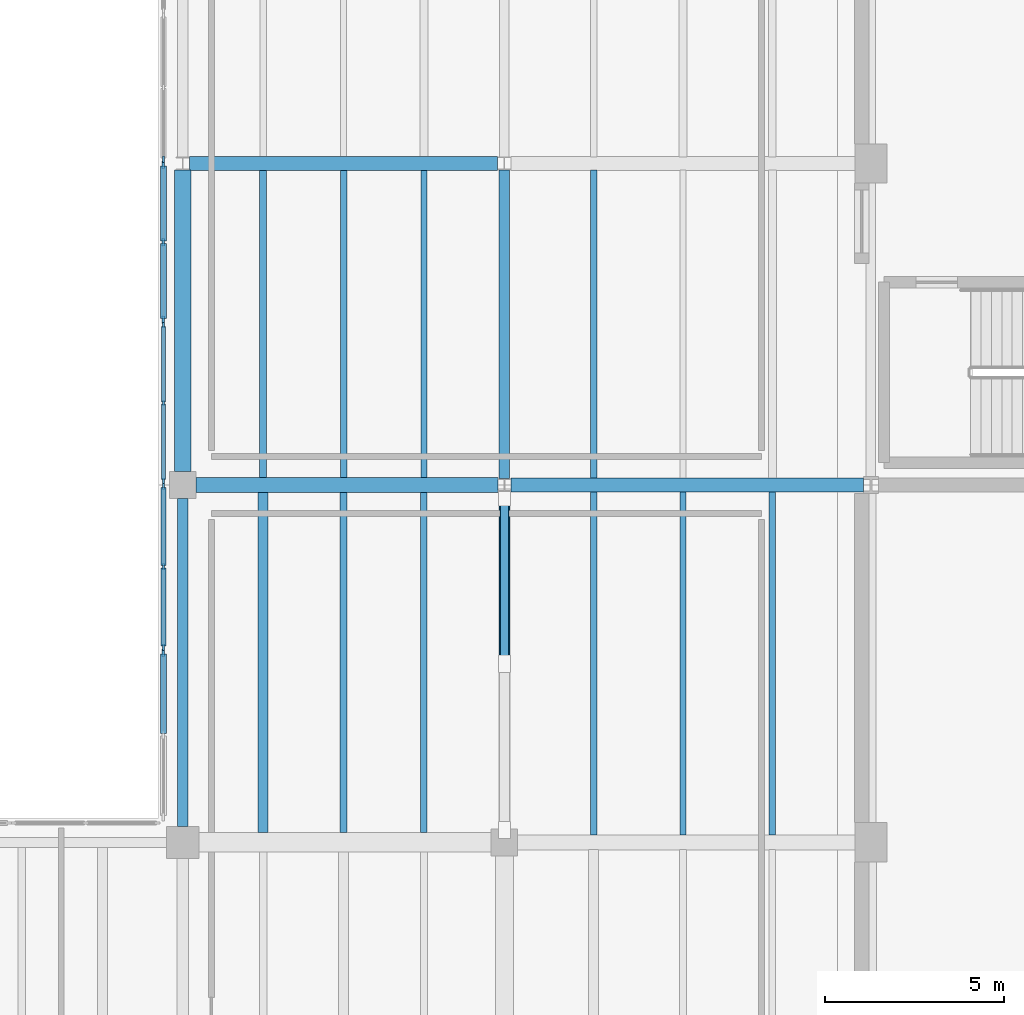
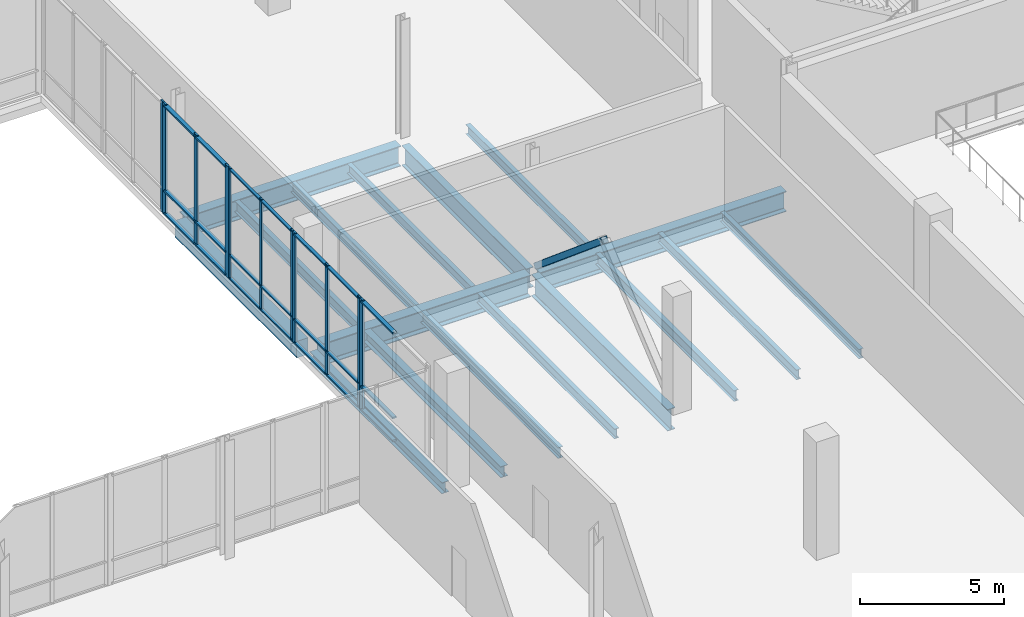
# One storey, part 31 of 73: 33 members, 17 beams, 5 elements without a shape of their own.
"""IFC4 building model written with IfcOpenShell, lengths in metres."""

from ifc_helpers import new_model, si_unit, direction, frame, origin, origin_2d, place, context, subcontext, project, spatial, rectangle, hollow_rectangle, i_section, extrude, material, material_profile, profile_set, type_object, element, aggregate, save


model = new_model("IFC4")

# Units and contexts
model_context = context("Model", 3, precision=1e-05, world=origin(), true_north=direction((0.0, 1.0)))
body_context = subcontext(model_context, "Body", "Model", "MODEL_VIEW")
ifc_project = project(units=[si_unit("LENGTHUNIT", "METRE"), si_unit("AREAUNIT", "SQUARE_METRE"), si_unit("VOLUMEUNIT", "CUBIC_METRE"), si_unit("PLANEANGLEUNIT", "RADIAN"), si_unit("MASSUNIT", "GRAM", prefix="KILO")], contexts=[model_context])

# Site, building, storey
site_placement = place(None, origin())
site = spatial("IfcSite", under=ifc_project, at=site_placement, CompositionType="ELEMENT")
building_placement = place(site_placement, origin())
building = spatial("IfcBuilding", under=site, at=building_placement, Name="Trimount Lyric Opera House", CompositionType="ELEMENT")
storey_placement = place(building_placement, frame((0.0, 0.0, 10.0)))
storey = spatial("IfcBuildingStorey", under=building, at=storey_placement, Name="L02", CompositionType="ELEMENT", Elevation=10.0)

# Beams
ifc_material_1 = material(Name="Steel ASTM A992 Grade 50", Category="steel")
ifc_material_profile_1 = material_profile(ifc_material_1, i_section(OverallWidth=0.4189453125, OverallDepth=0.927001953125, WebThickness=0.019287109375, FlangeThickness=0.031982421875, FilletRadius=0.02392578125, at=origin_2d()), Name="W36X231")
ifc_profile_set_1 = profile_set([ifc_material_profile_1], Name="Steel ASTM A992 Grade 50")
beam_type_1 = type_object("IfcBeamType", Name="B-02", PredefinedType="BEAM", material=ifc_profile_set_1)
beam_1_placement = place(storey_placement, frame((45.375, 84.0, -0.743408203125), z_axis=(1.0, 0.0, 0.0), x_axis=(0.0, 1.0, 0.0)))
element("IfcBeam", 1, at=beam_1_placement, inside=storey, type_object=beam_type_1, Name="L02 girder X-0774", PredefinedType="BEAM", context=body_context, shape_type="SweptSolid", body=[
    extrude(i_section(OverallWidth=0.4189453125, OverallDepth=0.927001953125, WebThickness=0.019287109375, FlangeThickness=0.031982421875, FilletRadius=0.02392578125, at=origin_2d()), origin(), (0.0, 0.0, 1.0), 8.44091796875),
])
ifc_material_2 = material(Name="Steel ASTM A992 Grade 50", Category="steel")
ifc_material_profile_2 = material_profile(ifc_material_2, i_section(OverallWidth=0.304931640625, OverallDepth=0.9189453125, WebThickness=0.017333984375, FlangeThickness=0.02783203125, FilletRadius=0.02001953125, at=origin_2d()), Name="W36X170")
ifc_profile_set_2 = profile_set([ifc_material_profile_2], Name="Steel ASTM A992 Grade 50")
beam_type_2 = type_object("IfcBeamType", Name="B-03", PredefinedType="BEAM", material=ifc_profile_set_2)
beam_2_placement = place(storey_placement, frame((54.0, 74.375, -0.739501953125), z_axis=(0.0, 1.0, 0.0), x_axis=(-1.0, 0.0, 0.0)))
element("IfcBeam", 2, at=beam_2_placement, inside=storey, type_object=beam_type_2, Name="L02 girder Y-0868", PredefinedType="BEAM", context=body_context, shape_type="SweptSolid", body=[
    extrude(i_section(OverallWidth=0.304931640625, OverallDepth=0.9189453125, WebThickness=0.017333984375, FlangeThickness=0.02783203125, FilletRadius=0.02001953125, at=origin_2d()), origin(), (0.0, 0.0, 1.0), 9.447021484375),
])
ifc_material_3 = material(Name="Steel ASTM A992 Grade 50", Category="steel")
ifc_material_profile_3 = material_profile(ifc_material_3, i_section(OverallWidth=0.40087890625, OverallDepth=0.861083984375, WebThickness=0.019775390625, FlangeThickness=0.032470703125, FilletRadius=0.02001953125, at=origin_2d()), Name="W33X221")
ifc_profile_set_3 = profile_set([ifc_material_profile_3], Name="Steel ASTM A992 Grade 50")
beam_type_3 = type_object("IfcBeamType", Name="B-04", PredefinedType="BEAM", material=ifc_profile_set_3)
beam_3_placement = place(storey_placement, frame((54.18408203125, 84.0, -0.755615234375), z_axis=(1.0, 0.0, 0.0), x_axis=(0.0, 1.0, 0.0)))
element("IfcBeam", 3, at=beam_3_placement, inside=storey, type_object=beam_type_3, Name="L02 girder X-0775", PredefinedType="BEAM", context=body_context, shape_type="SweptSolid", body=[
    extrude(i_section(OverallWidth=0.40087890625, OverallDepth=0.861083984375, WebThickness=0.019775390625, FlangeThickness=0.032470703125, FilletRadius=0.02001953125, at=origin_2d()), origin(), (0.0, 0.0, 1.0), 9.864990234375),
])
beam_4_placement = place(storey_placement, frame((45.18408203125, 93.0, -0.71044921875), z_axis=(1.0, 0.0, 0.0), x_axis=(0.0, 1.0, 0.0)))
element("IfcBeam", 4, at=beam_4_placement, inside=storey, type_object=beam_type_3, Name="L02 girder X-0783", PredefinedType="BEAM", context=body_context, shape_type="SweptSolid", body=[
    extrude(i_section(OverallWidth=0.40087890625, OverallDepth=0.861083984375, WebThickness=0.019775390625, FlangeThickness=0.032470703125, FilletRadius=0.02001953125, at=origin_2d()), origin(), (0.0, 0.0, 1.0), 8.62939453125),
])
ifc_material_4 = material(Name="Steel ASTM A992 Grade 50", Category="steel")
ifc_material_profile_4 = material_profile(ifc_material_4, i_section(OverallWidth=0.2919921875, OverallDepth=0.845947265625, WebThickness=0.015380859375, FlangeThickness=0.0244140625, FilletRadius=0.01806640625, at=origin_2d()), Name="W33X141")
ifc_profile_set_4 = profile_set([ifc_material_profile_4], Name="Steel ASTM A992 Grade 50")
beam_type_4 = type_object("IfcBeamType", Name="B-05", PredefinedType="BEAM", material=ifc_profile_set_4)
beam_5_placement = place(storey_placement, frame((54.0, 84.177978515625, -0.702880859375), z_axis=(0.0, 1.0, 0.0), x_axis=(-1.0, 0.0, 0.0)))
element("IfcBeam", 5, at=beam_5_placement, inside=storey, type_object=beam_type_4, Name="L02 girder Y-0869", PredefinedType="BEAM", context=body_context, shape_type="SweptSolid", body=[
    extrude(i_section(OverallWidth=0.2919921875, OverallDepth=0.845947265625, WebThickness=0.015380859375, FlangeThickness=0.0244140625, FilletRadius=0.01806640625, at=origin_2d()), origin(), (0.0, 0.0, 1.0), 8.637939453125),
])

# Member
ifc_material_5 = material(Name="Steel ASTM A500 Grade C", Category="steel")
ifc_material_profile_5 = material_profile(ifc_material_5, hollow_rectangle(XDim=0.25390625, YDim=0.25390625, WallThickness=0.01171875, InnerFilletRadius=0.01220703125, OuterFilletRadius=0.02392578125, at=origin_2d()), Name="HSS254.0X254.0X12.7")
ifc_profile_set_5 = profile_set([ifc_material_profile_5], Name="Steel ASTM A500 Grade C")
member_type_1 = type_object("IfcMemberType", Name="BR-03", PredefinedType="BRACE", material=ifc_profile_set_5)
member_1_placement = place(storey_placement, frame((54.0, 83.64990234375, 0.14990234375), z_axis=(0.0, -0.766173014074, 0.642634353661), x_axis=(1.0, 0.0, 0.0)))
element("IfcMember", 6, at=member_1_placement, inside=storey, type_object=member_type_1, Name="L02 lateral chevron brace BF-2.2", PredefinedType="BRACE", context=body_context, shape_type="SweptSolid", body=[
    extrude(hollow_rectangle(XDim=0.25390625, YDim=0.25390625, WallThickness=0.01171875, InnerFilletRadius=0.01220703125, OuterFilletRadius=0.02392578125, at=origin_2d()), origin(), (0.0, 0.0, 1.0), 6.069091796875),
])

# Beams
ifc_material_6 = material(Name="Steel ASTM A992 Grade 50", Category="steel")
ifc_material_profile_6 = material_profile(ifc_material_6, i_section(OverallWidth=0.281982421875, OverallDepth=0.467041015625, WebThickness=0.01220703125, FlangeThickness=0.01953125, FilletRadius=0.012939453125, at=origin_2d()), Name="W18X86")
ifc_profile_set_6 = profile_set([ifc_material_profile_6], Name="Steel ASTM A992 Grade 50")
beam_type_5 = type_object("IfcBeamType", Name="J-03", PredefinedType="BEAM", material=ifc_profile_set_6)
beam_6_placement = place(storey_placement, frame((47.25, 74.27099609375, -0.513427734375), z_axis=(0.0, 1.0, 0.0), x_axis=(-1.0, 0.0, 0.0)))
element("IfcBeam", 7, at=beam_6_placement, inside=storey, type_object=beam_type_5, Name="L02 composite floor joist 0860", PredefinedType="BEAM", context=body_context, shape_type="SweptSolid", body=[
    extrude(i_section(OverallWidth=0.281982421875, OverallDepth=0.467041015625, WebThickness=0.01220703125, FlangeThickness=0.01953125, FilletRadius=0.012939453125, at=origin_2d()), origin(), (0.0, 0.0, 1.0), 9.5234375),
])
ifc_material_7 = material(Name="Steel ASTM A992 Grade 50", Category="steel")
ifc_material_profile_7 = material_profile(ifc_material_7, i_section(OverallWidth=0.19091796875, OverallDepth=0.45703125, WebThickness=0.009033203125, FlangeThickness=0.014404296875, FilletRadius=0.010986328125, at=origin_2d()), Name="W18X50")
ifc_profile_set_7 = profile_set([ifc_material_profile_7], Name="Steel ASTM A992 Grade 50")
beam_type_6 = type_object("IfcBeamType", Name="J-04", PredefinedType="BEAM", material=ifc_profile_set_7)
beam_7_placement = place(storey_placement, frame((49.5, 74.27099609375, -0.508544921875), z_axis=(0.0, 1.0, 0.0), x_axis=(-1.0, 0.0, 0.0)))
element("IfcBeam", 8, at=beam_7_placement, inside=storey, type_object=beam_type_6, Name="L02 composite floor joist 0861", PredefinedType="BEAM", context=body_context, shape_type="SweptSolid", body=[
    extrude(i_section(OverallWidth=0.19091796875, OverallDepth=0.45703125, WebThickness=0.009033203125, FlangeThickness=0.014404296875, FilletRadius=0.010986328125, at=origin_2d()), origin(), (0.0, 0.0, 1.0), 9.5234375),
])
beam_8_placement = place(storey_placement, frame((47.25, 84.20556640625, -0.508544921875), z_axis=(0.0, 1.0, 0.0), x_axis=(-1.0, 0.0, 0.0)))
element("IfcBeam", 9, at=beam_8_placement, inside=storey, type_object=beam_type_6, Name="L02 composite floor joist 0863", PredefinedType="BEAM", context=body_context, shape_type="SweptSolid", body=[
    extrude(i_section(OverallWidth=0.19091796875, OverallDepth=0.45703125, WebThickness=0.009033203125, FlangeThickness=0.014404296875, FilletRadius=0.010986328125, at=origin_2d()), origin(), (0.0, 0.0, 1.0), 8.597900390625),
])
beam_9_placement = place(storey_placement, frame((56.5, 74.20556640625, -0.508544921875), z_axis=(0.0, 1.0, 0.0), x_axis=(-1.0, 0.0, 0.0)))
element("IfcBeam", 10, at=beam_9_placement, inside=storey, type_object=beam_type_6, Name="L02 composite floor joist 0887", PredefinedType="BEAM", context=body_context, shape_type="SweptSolid", body=[
    extrude(i_section(OverallWidth=0.19091796875, OverallDepth=0.45703125, WebThickness=0.009033203125, FlangeThickness=0.014404296875, FilletRadius=0.010986328125, at=origin_2d()), origin(), (0.0, 0.0, 1.0), 9.597900390625),
])
ifc_material_8 = material(Name="Steel ASTM A992 Grade 50", Category="steel")
ifc_material_profile_8 = material_profile(ifc_material_8, i_section(OverallWidth=0.180908203125, OverallDepth=0.4169921875, WebThickness=0.010986328125, FlangeThickness=0.018310546875, FilletRadius=0.010986328125, at=origin_2d()), Name="W16X57")
ifc_profile_set_8 = profile_set([ifc_material_profile_8], Name="Steel ASTM A992 Grade 50")
beam_type_7 = type_object("IfcBeamType", Name="J-05", PredefinedType="BEAM", material=ifc_profile_set_8)
beam_10_placement = place(storey_placement, frame((51.75, 74.27099609375, -0.488525390625), z_axis=(0.0, 1.0, 0.0), x_axis=(-1.0, 0.0, 0.0)))
element("IfcBeam", 11, at=beam_10_placement, inside=storey, type_object=beam_type_7, Name="L02 composite floor joist 0862", PredefinedType="BEAM", context=body_context, shape_type="SweptSolid", body=[
    extrude(i_section(OverallWidth=0.180908203125, OverallDepth=0.4169921875, WebThickness=0.010986328125, FlangeThickness=0.018310546875, FilletRadius=0.010986328125, at=origin_2d()), origin(), (0.0, 0.0, 1.0), 9.5234375),
])
beam_11_placement = place(storey_placement, frame((49.5, 84.20556640625, -0.488525390625), z_axis=(0.0, 1.0, 0.0), x_axis=(-1.0, 0.0, 0.0)))
element("IfcBeam", 12, at=beam_11_placement, inside=storey, type_object=beam_type_7, Name="L02 composite floor joist 0864", PredefinedType="BEAM", context=body_context, shape_type="SweptSolid", body=[
    extrude(i_section(OverallWidth=0.180908203125, OverallDepth=0.4169921875, WebThickness=0.010986328125, FlangeThickness=0.018310546875, FilletRadius=0.010986328125, at=origin_2d()), origin(), (0.0, 0.0, 1.0), 8.597900390625),
])
beam_12_placement = place(storey_placement, frame((59.0, 74.20556640625, -0.488525390625), z_axis=(0.0, 1.0, 0.0), x_axis=(-1.0, 0.0, 0.0)))
element("IfcBeam", 13, at=beam_12_placement, inside=storey, type_object=beam_type_7, Name="L02 composite floor joist 0888", PredefinedType="BEAM", context=body_context, shape_type="SweptSolid", body=[
    extrude(i_section(OverallWidth=0.180908203125, OverallDepth=0.4169921875, WebThickness=0.010986328125, FlangeThickness=0.018310546875, FilletRadius=0.010986328125, at=origin_2d()), origin(), (0.0, 0.0, 1.0), 9.597900390625),
])
beam_13_placement = place(storey_placement, frame((56.5, 84.196533203125, -0.488525390625), z_axis=(0.0, 1.0, 0.0), x_axis=(-1.0, 0.0, 0.0)))
element("IfcBeam", 14, at=beam_13_placement, inside=storey, type_object=beam_type_7, Name="L02 composite floor joist 0890", PredefinedType="BEAM", context=body_context, shape_type="SweptSolid", body=[
    extrude(i_section(OverallWidth=0.180908203125, OverallDepth=0.4169921875, WebThickness=0.010986328125, FlangeThickness=0.018310546875, FilletRadius=0.010986328125, at=origin_2d()), origin(), (0.0, 0.0, 1.0), 8.616455078125),
])
ifc_material_9 = material(Name="Steel ASTM A992 Grade 50", Category="steel")
ifc_material_profile_9 = material_profile(ifc_material_9, i_section(OverallWidth=0.177978515625, OverallDepth=0.404052734375, WebThickness=0.007568359375, FlangeThickness=0.010986328125, FilletRadius=0.010009765625, at=origin_2d()), Name="W16X36")
ifc_profile_set_9 = profile_set([ifc_material_profile_9], Name="Steel ASTM A992 Grade 50")
beam_type_8 = type_object("IfcBeamType", Name="J-06", PredefinedType="BEAM", material=ifc_profile_set_9)
beam_14_placement = place(storey_placement, frame((51.75, 84.20556640625, -0.48193359375), z_axis=(0.0, 1.0, 0.0), x_axis=(-1.0, 0.0, 0.0)))
element("IfcBeam", 15, at=beam_14_placement, inside=storey, type_object=beam_type_8, Name="L02 composite floor joist 0865", PredefinedType="BEAM", context=body_context, shape_type="SweptSolid", body=[
    extrude(i_section(OverallWidth=0.177978515625, OverallDepth=0.404052734375, WebThickness=0.007568359375, FlangeThickness=0.010986328125, FilletRadius=0.010009765625, at=origin_2d()), origin(), (0.0, 0.0, 1.0), 8.597900390625),
])
beam_15_placement = place(storey_placement, frame((61.5, 74.20556640625, -0.48193359375), z_axis=(0.0, 1.0, 0.0), x_axis=(-1.0, 0.0, 0.0)))
element("IfcBeam", 16, at=beam_15_placement, inside=storey, type_object=beam_type_8, Name="L02 composite floor joist 0889", PredefinedType="BEAM", context=body_context, shape_type="SweptSolid", body=[
    extrude(i_section(OverallWidth=0.177978515625, OverallDepth=0.404052734375, WebThickness=0.007568359375, FlangeThickness=0.010986328125, FilletRadius=0.010009765625, at=origin_2d()), origin(), (0.0, 0.0, 1.0), 9.597900390625),
])

# Curtain wall, member
ifc_material_10 = material(Name="Thermally Broken Aluminium and Low-E Glass", Category="aluminium")
curtain_wall_type = type_object("IfcCurtainWallType", Name="CW-03", PredefinedType="NOTDEFINED", material=ifc_material_10)
curtain_wall_1_placement = place(storey_placement, origin())
curtain_wall_1 = element("IfcCurtainWall", 17, at=curtain_wall_1_placement, inside=storey, type_object=curtain_wall_type, Name="L02 curtain wall 204", PredefinedType="NOTDEFINED")
ifc_material_11 = material(Name="Anodised Aluminium 6063-T6", Category="aluminium")
ifc_material_profile_10 = material_profile(ifc_material_11, rectangle(XDim=0.070068359375, YDim=0.219970703125, at=origin_2d()), Name="ALU-MULL-70X220")
ifc_profile_set_10 = profile_set([ifc_material_profile_10], Name="Anodised Aluminium 6063-T6")
member_type_2 = type_object("IfcMemberType", Name="ML-01", PredefinedType="MULLION", material=ifc_profile_set_10)
member_2_placement = place(storey_placement, frame((44.4599609375, 79.304931640625, 0.0), z_axis=(0.0, 0.0, 1.0), x_axis=(-1.0, 0.0, 0.0)))
member_2 = element("IfcMember", 18, at=member_2_placement, type_object=member_type_2, Name="CW-03 mullion 3", PredefinedType="MULLION", context=body_context, shape_type="SweptSolid", body=[
    extrude(rectangle(XDim=0.070068359375, YDim=0.219970703125, at=origin_2d()), origin(), (0.0, 0.0, 1.0), 4.719970703125),
])

# Curtain wall, members
curtain_wall_2_placement = place(storey_placement, origin())
curtain_wall_2 = element("IfcCurtainWall", 19, at=curtain_wall_2_placement, inside=storey, type_object=curtain_wall_type, Name="L02 curtain wall 207", PredefinedType="NOTDEFINED")
member_3_placement = place(storey_placement, frame((44.4599609375, 88.625, 0.0), z_axis=(0.0, 0.0, 1.0), x_axis=(-1.0, 0.0, 0.0)))
member_3 = element("IfcMember", 20, at=member_3_placement, type_object=member_type_2, Name="CW-03 mullion 1", PredefinedType="MULLION", context=body_context, shape_type="SweptSolid", body=[
    extrude(rectangle(XDim=0.070068359375, YDim=0.219970703125, at=origin_2d()), origin(), (0.0, 0.0, 1.0), 4.719970703125),
])
member_4_placement = place(storey_placement, frame((44.4599609375, 90.794921875, 0.0), z_axis=(0.0, 0.0, 1.0), x_axis=(-1.0, 0.0, 0.0)))
member_4 = element("IfcMember", 21, at=member_4_placement, type_object=member_type_2, Name="CW-03 mullion 2", PredefinedType="MULLION", context=body_context, shape_type="SweptSolid", body=[
    extrude(rectangle(XDim=0.070068359375, YDim=0.219970703125, at=origin_2d()), origin(), (0.0, 0.0, 1.0), 4.719970703125),
])
member_5_placement = place(storey_placement, frame((44.4599609375, 92.965087890625, 0.0), z_axis=(0.0, 0.0, 1.0), x_axis=(-1.0, 0.0, 0.0)))
member_5 = element("IfcMember", 22, at=member_5_placement, type_object=member_type_2, Name="CW-03 mullion 3", PredefinedType="MULLION", context=body_context, shape_type="SweptSolid", body=[
    extrude(rectangle(XDim=0.070068359375, YDim=0.219970703125, at=origin_2d()), origin(), (0.0, 0.0, 1.0), 4.719970703125),
])

curtain_wall_3_placement = place(storey_placement, origin())
curtain_wall_3 = element("IfcCurtainWall", 23, at=curtain_wall_3_placement, inside=storey, type_object=curtain_wall_type, Name="L02 curtain wall 205", PredefinedType="NOTDEFINED")
ifc_material_12 = material(Name="Anodised Aluminium 6063-T6", Category="aluminium")
ifc_material_profile_11 = material_profile(ifc_material_12, rectangle(XDim=0.06494140625, YDim=0.179931640625, at=origin_2d()), Name="ALU-MULL-65X180")
ifc_profile_set_11 = profile_set([ifc_material_profile_11], Name="Anodised Aluminium 6063-T6")
member_type_3 = type_object("IfcMemberType", Name="ML-02", PredefinedType="MULLION", material=ifc_profile_set_11)
member_6_placement = place(storey_placement, frame((44.4599609375, 79.46240234375, 0.0), z_axis=(0.0, 0.0, 1.0), x_axis=(-1.0, 0.0, 0.0)))
member_6 = element("IfcMember", 24, at=member_6_placement, type_object=member_type_3, Name="CW-03 mullion 1", PredefinedType="MULLION", context=body_context, shape_type="SweptSolid", body=[
    extrude(rectangle(XDim=0.06494140625, YDim=0.179931640625, at=origin_2d()), origin(), (0.0, 0.0, 1.0), 4.719970703125),
])
member_7_placement = place(storey_placement, frame((44.4599609375, 81.715087890625, 0.0), z_axis=(0.0, 0.0, 1.0), x_axis=(-1.0, 0.0, 0.0)))
member_7 = element("IfcMember", 25, at=member_7_placement, type_object=member_type_3, Name="CW-03 mullion 2", PredefinedType="MULLION", context=body_context, shape_type="SweptSolid", body=[
    extrude(rectangle(XDim=0.06494140625, YDim=0.179931640625, at=origin_2d()), origin(), (0.0, 0.0, 1.0), 4.719970703125),
])
member_8_placement = place(storey_placement, frame((44.4599609375, 83.967529296875, 0.0), z_axis=(0.0, 0.0, 1.0), x_axis=(-1.0, 0.0, 0.0)))
member_8 = element("IfcMember", 26, at=member_8_placement, type_object=member_type_3, Name="CW-03 mullion 3", PredefinedType="MULLION", context=body_context, shape_type="SweptSolid", body=[
    extrude(rectangle(XDim=0.06494140625, YDim=0.179931640625, at=origin_2d()), origin(), (0.0, 0.0, 1.0), 4.719970703125),
])

# Curtain wall, member
curtain_wall_4_placement = place(storey_placement, origin())
curtain_wall_4 = element("IfcCurtainWall", 27, at=curtain_wall_4_placement, inside=storey, type_object=curtain_wall_type, Name="L02 curtain wall 208", PredefinedType="NOTDEFINED")
member_9_placement = place(storey_placement, frame((44.4599609375, 93.12255859375, 0.0), z_axis=(0.0, 0.0, 1.0), x_axis=(-1.0, 0.0, 0.0)))
member_9 = element("IfcMember", 28, at=member_9_placement, type_object=member_type_3, Name="CW-03 mullion 1", PredefinedType="MULLION", context=body_context, shape_type="SweptSolid", body=[
    extrude(rectangle(XDim=0.06494140625, YDim=0.179931640625, at=origin_2d()), origin(), (0.0, 0.0, 1.0), 4.719970703125),
])
aggregate(curtain_wall_4, [member_9])

# Curtain wall, members
curtain_wall_5_placement = place(storey_placement, origin())
curtain_wall_5 = element("IfcCurtainWall", 29, at=curtain_wall_5_placement, inside=storey, type_object=curtain_wall_type, Name="L02 curtain wall 206", PredefinedType="NOTDEFINED")
ifc_material_13 = material(Name="Anodised Aluminium 6063-T6", Category="aluminium")
ifc_material_profile_12 = material_profile(ifc_material_13, rectangle(XDim=0.06005859375, YDim=0.14990234375, at=origin_2d()), Name="ALU-MULL-60X150")
ifc_profile_set_12 = profile_set([ifc_material_profile_12], Name="Anodised Aluminium 6063-T6")
member_type_4 = type_object("IfcMemberType", Name="ML-03", PredefinedType="MULLION", material=ifc_profile_set_12)
member_10_placement = place(storey_placement, frame((44.4599609375, 84.1201171875, 0.0), z_axis=(0.0, 0.0, 1.0), x_axis=(-1.0, 0.0, 0.0)))
member_10 = element("IfcMember", 30, at=member_10_placement, type_object=member_type_4, Name="CW-03 mullion 1", PredefinedType="MULLION", context=body_context, shape_type="SweptSolid", body=[
    extrude(rectangle(XDim=0.06005859375, YDim=0.14990234375, at=origin_2d()), origin(), (0.0, 0.0, 1.0), 4.719970703125),
])
member_11_placement = place(storey_placement, frame((44.4599609375, 86.294921875, 0.0), z_axis=(0.0, 0.0, 1.0), x_axis=(-1.0, 0.0, 0.0)))
member_11 = element("IfcMember", 31, at=member_11_placement, type_object=member_type_4, Name="CW-03 mullion 2", PredefinedType="MULLION", context=body_context, shape_type="SweptSolid", body=[
    extrude(rectangle(XDim=0.06005859375, YDim=0.14990234375, at=origin_2d()), origin(), (0.0, 0.0, 1.0), 4.719970703125),
])
member_12_placement = place(storey_placement, frame((44.4599609375, 88.469970703125, 0.0), z_axis=(0.0, 0.0, 1.0), x_axis=(-1.0, 0.0, 0.0)))
member_12 = element("IfcMember", 32, at=member_12_placement, type_object=member_type_4, Name="CW-03 mullion 3", PredefinedType="MULLION", context=body_context, shape_type="SweptSolid", body=[
    extrude(rectangle(XDim=0.06005859375, YDim=0.14990234375, at=origin_2d()), origin(), (0.0, 0.0, 1.0), 4.719970703125),
])

# Beams
ifc_material_14 = material(Name="Steel ASTM A992 Grade 50", Category="steel")
ifc_material_profile_13 = material_profile(ifc_material_14, i_section(OverallWidth=0.281982421875, OverallDepth=0.467041015625, WebThickness=0.01220703125, FlangeThickness=0.01953125, FilletRadius=0.012939453125, at=origin_2d()), Name="W18X86")
ifc_profile_set_13 = profile_set([ifc_material_profile_13], Name="Steel ASTM A992 Grade 50")
beam_type_9 = type_object("IfcBeamType", Name="SP-01", PredefinedType="SPANDREL", material=ifc_profile_set_13)
beam_16_placement = place(storey_placement, frame((45.0, 74.449951171875, -0.513427734375), z_axis=(0.0, 1.0, 0.0), x_axis=(-1.0, 0.0, 0.0)))
element("IfcBeam", 33, at=beam_16_placement, inside=storey, type_object=beam_type_9, Name="L02 girder Y-0858", PredefinedType="SPANDREL", context=body_context, shape_type="SweptSolid", body=[
    extrude(i_section(OverallWidth=0.281982421875, OverallDepth=0.467041015625, WebThickness=0.01220703125, FlangeThickness=0.01953125, FilletRadius=0.012939453125, at=origin_2d()), origin(), (0.0, 0.0, 1.0), 9.175048828125),
])
ifc_material_15 = material(Name="Concrete C40/50", Category="concrete")
ifc_material_profile_14 = material_profile(ifc_material_15, rectangle(XDim=0.449951171875, YDim=0.699951171875, at=origin_2d()), Name="RC450X700")
ifc_profile_set_14 = profile_set([ifc_material_profile_14], Name="Concrete C40/50")
beam_type_10 = type_object("IfcBeamType", Name="SP-02", PredefinedType="SPANDREL", material=ifc_profile_set_14)
beam_17_placement = place(storey_placement, frame((45.0, 84.375, -0.6298828125), z_axis=(0.0, 1.0, 0.0), x_axis=(-1.0, 0.0, 0.0)))
element("IfcBeam", 34, at=beam_17_placement, inside=storey, type_object=beam_type_10, Name="L02 girder Y-0859", PredefinedType="SPANDREL", context=body_context, shape_type="SweptSolid", body=[
    extrude(rectangle(XDim=0.449951171875, YDim=0.699951171875, at=origin_2d()), origin(), (0.0, 0.0, 1.0), 8.447021484375),
])

# Member
ifc_material_16 = material(Name="Anodised Aluminium 6063-T6", Category="aluminium")
ifc_material_profile_15 = material_profile(ifc_material_16, rectangle(XDim=0.159912109375, YDim=0.070068359375, at=origin_2d()), Name="ALU-TRAN-70X160")
ifc_profile_set_15 = profile_set([ifc_material_profile_15], Name="Anodised Aluminium 6063-T6")
member_type_5 = type_object("IfcMemberType", Name="TR-01", PredefinedType="USERDEFINED", material=ifc_profile_set_15)
member_13_placement = place(storey_placement, frame((44.4599609375, 77.044921875, 0.080078125), z_axis=(0.0, 1.0, 0.0), x_axis=(-1.0, 0.0, 0.0)))
member_13 = element("IfcMember", 35, at=member_13_placement, type_object=member_type_5, Name="CW-03 transom 2.1", ObjectType="TRANSOM", PredefinedType="USERDEFINED", context=body_context, shape_type="SweptSolid", body=[
    extrude(rectangle(XDim=0.159912109375, YDim=0.070068359375, at=origin_2d()), origin(), (0.0, 0.0, 1.0), 2.22509765625),
])

member_14_placement = place(storey_placement, frame((44.4599609375, 77.044921875, 1.050048828125), z_axis=(0.0, 1.0, 0.0), x_axis=(-1.0, 0.0, 0.0)))
member_14 = element("IfcMember", 36, at=member_14_placement, type_object=member_type_5, Name="CW-03 transom 2.2", ObjectType="TRANSOM", PredefinedType="USERDEFINED", context=body_context, shape_type="SweptSolid", body=[
    extrude(rectangle(XDim=0.159912109375, YDim=0.070068359375, at=origin_2d()), origin(), (0.0, 0.0, 1.0), 2.22509765625),
])

member_15_placement = place(storey_placement, frame((44.4599609375, 77.044921875, 4.639892578125), z_axis=(0.0, 1.0, 0.0), x_axis=(-1.0, 0.0, 0.0)))
member_15 = element("IfcMember", 37, at=member_15_placement, type_object=member_type_5, Name="CW-03 transom 2.3", ObjectType="TRANSOM", PredefinedType="USERDEFINED", context=body_context, shape_type="SweptSolid", body=[
    extrude(rectangle(XDim=0.159912109375, YDim=0.070068359375, at=origin_2d()), origin(), (0.0, 0.0, 1.0), 2.22509765625),
])

aggregate(curtain_wall_1, [member_2, member_13, member_14, member_15])

member_16_placement = place(storey_placement, frame((44.4599609375, 88.659912109375, 0.080078125), z_axis=(0.0, 1.0, 0.0), x_axis=(-1.0, 0.0, 0.0)))
member_16 = element("IfcMember", 38, at=member_16_placement, type_object=member_type_5, Name="CW-03 transom 1.1", ObjectType="TRANSOM", PredefinedType="USERDEFINED", context=body_context, shape_type="SweptSolid", body=[
    extrude(rectangle(XDim=0.159912109375, YDim=0.070068359375, at=origin_2d()), origin(), (0.0, 0.0, 1.0), 2.10009765625),
])

member_17_placement = place(storey_placement, frame((44.4599609375, 88.659912109375, 1.050048828125), z_axis=(0.0, 1.0, 0.0), x_axis=(-1.0, 0.0, 0.0)))
member_17 = element("IfcMember", 39, at=member_17_placement, type_object=member_type_5, Name="CW-03 transom 1.2", ObjectType="TRANSOM", PredefinedType="USERDEFINED", context=body_context, shape_type="SweptSolid", body=[
    extrude(rectangle(XDim=0.159912109375, YDim=0.070068359375, at=origin_2d()), origin(), (0.0, 0.0, 1.0), 2.10009765625),
])

member_18_placement = place(storey_placement, frame((44.4599609375, 88.659912109375, 4.639892578125), z_axis=(0.0, 1.0, 0.0), x_axis=(-1.0, 0.0, 0.0)))
member_18 = element("IfcMember", 40, at=member_18_placement, type_object=member_type_5, Name="CW-03 transom 1.3", ObjectType="TRANSOM", PredefinedType="USERDEFINED", context=body_context, shape_type="SweptSolid", body=[
    extrude(rectangle(XDim=0.159912109375, YDim=0.070068359375, at=origin_2d()), origin(), (0.0, 0.0, 1.0), 2.10009765625),
])

member_19_placement = place(storey_placement, frame((44.4599609375, 90.830078125, 0.080078125), z_axis=(0.0, 1.0, 0.0), x_axis=(-1.0, 0.0, 0.0)))
member_19 = element("IfcMember", 41, at=member_19_placement, type_object=member_type_5, Name="CW-03 transom 2.1", ObjectType="TRANSOM", PredefinedType="USERDEFINED", context=body_context, shape_type="SweptSolid", body=[
    extrude(rectangle(XDim=0.159912109375, YDim=0.070068359375, at=origin_2d()), origin(), (0.0, 0.0, 1.0), 2.099853515625),
])

member_20_placement = place(storey_placement, frame((44.4599609375, 90.830078125, 1.050048828125), z_axis=(0.0, 1.0, 0.0), x_axis=(-1.0, 0.0, 0.0)))
member_20 = element("IfcMember", 42, at=member_20_placement, type_object=member_type_5, Name="CW-03 transom 2.2", ObjectType="TRANSOM", PredefinedType="USERDEFINED", context=body_context, shape_type="SweptSolid", body=[
    extrude(rectangle(XDim=0.159912109375, YDim=0.070068359375, at=origin_2d()), origin(), (0.0, 0.0, 1.0), 2.099853515625),
])

member_21_placement = place(storey_placement, frame((44.4599609375, 90.830078125, 4.639892578125), z_axis=(0.0, 1.0, 0.0), x_axis=(-1.0, 0.0, 0.0)))
member_21 = element("IfcMember", 43, at=member_21_placement, type_object=member_type_5, Name="CW-03 transom 2.3", ObjectType="TRANSOM", PredefinedType="USERDEFINED", context=body_context, shape_type="SweptSolid", body=[
    extrude(rectangle(XDim=0.159912109375, YDim=0.070068359375, at=origin_2d()), origin(), (0.0, 0.0, 1.0), 2.099853515625),
])

aggregate(curtain_wall_2, [member_3, member_4, member_5, member_16, member_17, member_18, member_19, member_20, member_21])

ifc_material_17 = material(Name="Anodised Aluminium 6063-T6", Category="aluminium")
ifc_material_profile_16 = material_profile(ifc_material_17, rectangle(XDim=0.135009765625, YDim=0.06494140625, at=origin_2d()), Name="ALU-TRAN-65X135")
ifc_profile_set_16 = profile_set([ifc_material_profile_16], Name="Anodised Aluminium 6063-T6")
member_type_6 = type_object("IfcMemberType", Name="TR-02", PredefinedType="USERDEFINED", material=ifc_profile_set_16)
member_22_placement = place(storey_placement, frame((44.4599609375, 79.4951171875, 0.0673828125), z_axis=(0.0, 1.0, 0.0), x_axis=(-1.0, 0.0, 0.0)))
member_22 = element("IfcMember", 44, at=member_22_placement, type_object=member_type_6, Name="CW-03 transom 1.1", ObjectType="TRANSOM", PredefinedType="USERDEFINED", context=body_context, shape_type="SweptSolid", body=[
    extrude(rectangle(XDim=0.135009765625, YDim=0.06494140625, at=origin_2d()), origin(), (0.0, 0.0, 1.0), 2.1875),
])

member_23_placement = place(storey_placement, frame((44.4599609375, 79.4951171875, 1.050048828125), z_axis=(0.0, 1.0, 0.0), x_axis=(-1.0, 0.0, 0.0)))
member_23 = element("IfcMember", 45, at=member_23_placement, type_object=member_type_6, Name="CW-03 transom 1.2", ObjectType="TRANSOM", PredefinedType="USERDEFINED", context=body_context, shape_type="SweptSolid", body=[
    extrude(rectangle(XDim=0.135009765625, YDim=0.06494140625, at=origin_2d()), origin(), (0.0, 0.0, 1.0), 2.1875),
])

member_24_placement = place(storey_placement, frame((44.4599609375, 79.4951171875, 4.652587890625), z_axis=(0.0, 1.0, 0.0), x_axis=(-1.0, 0.0, 0.0)))
member_24 = element("IfcMember", 46, at=member_24_placement, type_object=member_type_6, Name="CW-03 transom 1.3", ObjectType="TRANSOM", PredefinedType="USERDEFINED", context=body_context, shape_type="SweptSolid", body=[
    extrude(rectangle(XDim=0.135009765625, YDim=0.06494140625, at=origin_2d()), origin(), (0.0, 0.0, 1.0), 2.1875),
])

member_25_placement = place(storey_placement, frame((44.4599609375, 81.74755859375, 0.0673828125), z_axis=(0.0, 1.0, 0.0), x_axis=(-1.0, 0.0, 0.0)))
member_25 = element("IfcMember", 47, at=member_25_placement, type_object=member_type_6, Name="CW-03 transom 2.1", ObjectType="TRANSOM", PredefinedType="USERDEFINED", context=body_context, shape_type="SweptSolid", body=[
    extrude(rectangle(XDim=0.135009765625, YDim=0.06494140625, at=origin_2d()), origin(), (0.0, 0.0, 1.0), 2.1875),
])

member_26_placement = place(storey_placement, frame((44.4599609375, 81.74755859375, 1.050048828125), z_axis=(0.0, 1.0, 0.0), x_axis=(-1.0, 0.0, 0.0)))
member_26 = element("IfcMember", 48, at=member_26_placement, type_object=member_type_6, Name="CW-03 transom 2.2", ObjectType="TRANSOM", PredefinedType="USERDEFINED", context=body_context, shape_type="SweptSolid", body=[
    extrude(rectangle(XDim=0.135009765625, YDim=0.06494140625, at=origin_2d()), origin(), (0.0, 0.0, 1.0), 2.1875),
])

member_27_placement = place(storey_placement, frame((44.4599609375, 81.74755859375, 4.652587890625), z_axis=(0.0, 1.0, 0.0), x_axis=(-1.0, 0.0, 0.0)))
member_27 = element("IfcMember", 49, at=member_27_placement, type_object=member_type_6, Name="CW-03 transom 2.3", ObjectType="TRANSOM", PredefinedType="USERDEFINED", context=body_context, shape_type="SweptSolid", body=[
    extrude(rectangle(XDim=0.135009765625, YDim=0.06494140625, at=origin_2d()), origin(), (0.0, 0.0, 1.0), 2.1875),
])

aggregate(curtain_wall_3, [member_6, member_7, member_8, member_22, member_23, member_24, member_25, member_26, member_27])

ifc_material_18 = material(Name="Anodised Aluminium 6063-T6", Category="aluminium")
ifc_material_profile_17 = material_profile(ifc_material_18, rectangle(XDim=0.114990234375, YDim=0.06005859375, at=origin_2d()), Name="ALU-TRAN-60X115")
ifc_profile_set_17 = profile_set([ifc_material_profile_17], Name="Anodised Aluminium 6063-T6")
member_type_7 = type_object("IfcMemberType", Name="TR-03", PredefinedType="USERDEFINED", material=ifc_profile_set_17)
member_28_placement = place(storey_placement, frame((44.4599609375, 84.14990234375, 0.0576171875), z_axis=(0.0, 1.0, 0.0), x_axis=(-1.0, 0.0, 0.0)))
member_28 = element("IfcMember", 50, at=member_28_placement, type_object=member_type_7, Name="CW-03 transom 1.1", ObjectType="TRANSOM", PredefinedType="USERDEFINED", context=body_context, shape_type="SweptSolid", body=[
    extrude(rectangle(XDim=0.114990234375, YDim=0.06005859375, at=origin_2d()), origin(), (0.0, 0.0, 1.0), 2.114990234375),
])

member_29_placement = place(storey_placement, frame((44.4599609375, 84.14990234375, 1.050048828125), z_axis=(0.0, 1.0, 0.0), x_axis=(-1.0, 0.0, 0.0)))
member_29 = element("IfcMember", 51, at=member_29_placement, type_object=member_type_7, Name="CW-03 transom 1.2", ObjectType="TRANSOM", PredefinedType="USERDEFINED", context=body_context, shape_type="SweptSolid", body=[
    extrude(rectangle(XDim=0.114990234375, YDim=0.06005859375, at=origin_2d()), origin(), (0.0, 0.0, 1.0), 2.114990234375),
])

member_30_placement = place(storey_placement, frame((44.4599609375, 84.14990234375, 4.66259765625), z_axis=(0.0, 1.0, 0.0), x_axis=(-1.0, 0.0, 0.0)))
member_30 = element("IfcMember", 52, at=member_30_placement, type_object=member_type_7, Name="CW-03 transom 1.3", ObjectType="TRANSOM", PredefinedType="USERDEFINED", context=body_context, shape_type="SweptSolid", body=[
    extrude(rectangle(XDim=0.114990234375, YDim=0.06005859375, at=origin_2d()), origin(), (0.0, 0.0, 1.0), 2.114990234375),
])

member_31_placement = place(storey_placement, frame((44.4599609375, 86.324951171875, 0.0576171875), z_axis=(0.0, 1.0, 0.0), x_axis=(-1.0, 0.0, 0.0)))
member_31 = element("IfcMember", 53, at=member_31_placement, type_object=member_type_7, Name="CW-03 transom 2.1", ObjectType="TRANSOM", PredefinedType="USERDEFINED", context=body_context, shape_type="SweptSolid", body=[
    extrude(rectangle(XDim=0.114990234375, YDim=0.06005859375, at=origin_2d()), origin(), (0.0, 0.0, 1.0), 2.114990234375),
])

member_32_placement = place(storey_placement, frame((44.4599609375, 86.324951171875, 1.050048828125), z_axis=(0.0, 1.0, 0.0), x_axis=(-1.0, 0.0, 0.0)))
member_32 = element("IfcMember", 54, at=member_32_placement, type_object=member_type_7, Name="CW-03 transom 2.2", ObjectType="TRANSOM", PredefinedType="USERDEFINED", context=body_context, shape_type="SweptSolid", body=[
    extrude(rectangle(XDim=0.114990234375, YDim=0.06005859375, at=origin_2d()), origin(), (0.0, 0.0, 1.0), 2.114990234375),
])

member_33_placement = place(storey_placement, frame((44.4599609375, 86.324951171875, 4.66259765625), z_axis=(0.0, 1.0, 0.0), x_axis=(-1.0, 0.0, 0.0)))
member_33 = element("IfcMember", 55, at=member_33_placement, type_object=member_type_7, Name="CW-03 transom 2.3", ObjectType="TRANSOM", PredefinedType="USERDEFINED", context=body_context, shape_type="SweptSolid", body=[
    extrude(rectangle(XDim=0.114990234375, YDim=0.06005859375, at=origin_2d()), origin(), (0.0, 0.0, 1.0), 2.114990234375),
])

aggregate(curtain_wall_5, [member_10, member_11, member_12, member_28, member_29, member_30, member_31, member_32, member_33])

save(model, "model.ifc")
